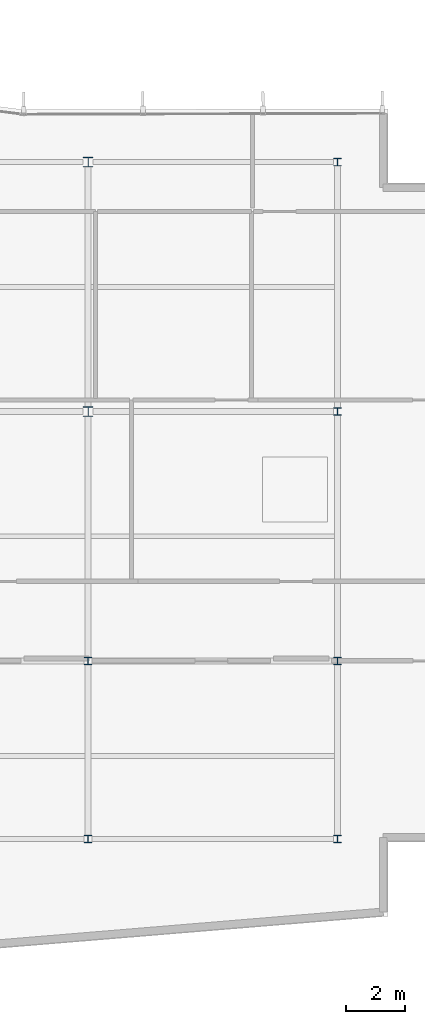
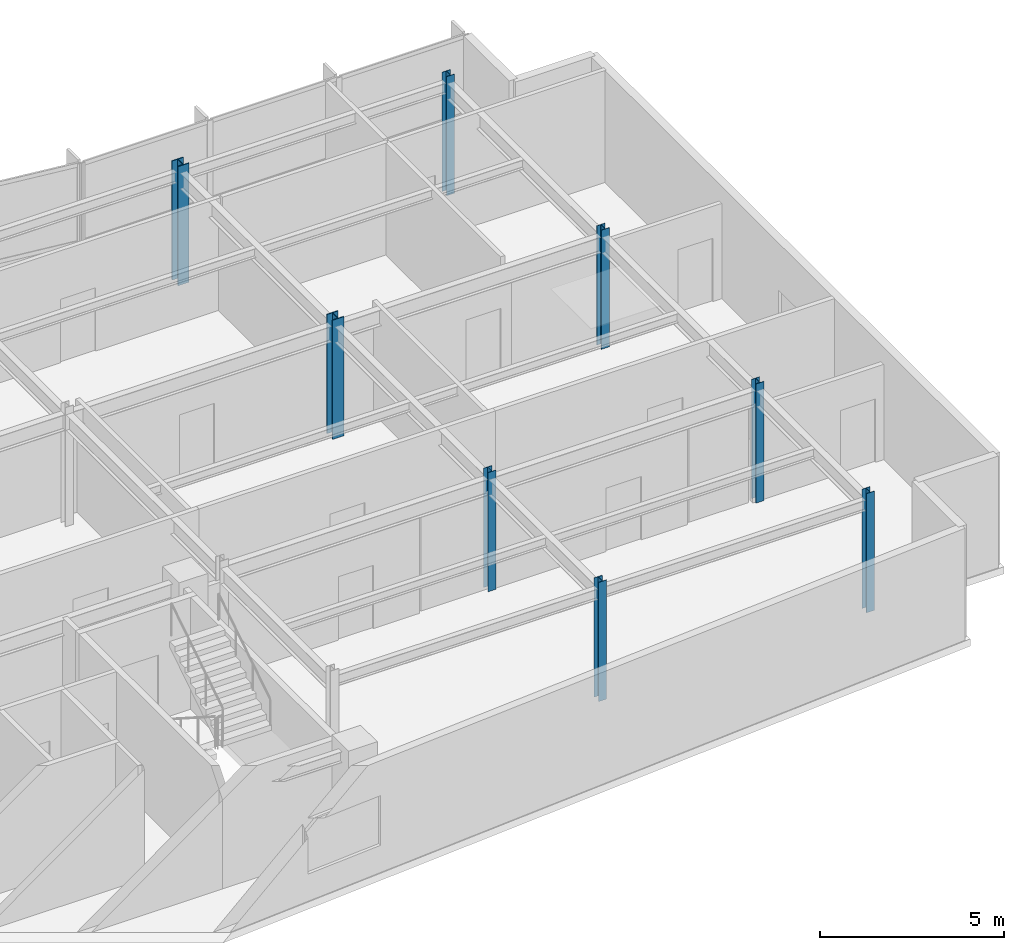
# One storey, part 3 of 15: 8 columns.
"""IFC4 building model written with IfcOpenShell, lengths in metres."""

from ifc_helpers import new_model, si_unit, direction, frame, origin, origin_2d, place, context, subcontext, project, spatial, i_section, extrude, material, material_profile, profile_set, type_object, element, save


model = new_model("IFC4")

# Units and contexts
model_context = context("Model", 3, precision=1e-05, world=origin(), true_north=direction((0.0, 1.0)))
body_context = subcontext(model_context, "Body", "Model", "MODEL_VIEW")
ifc_project = project(units=[si_unit("LENGTHUNIT", "METRE"), si_unit("AREAUNIT", "SQUARE_METRE"), si_unit("VOLUMEUNIT", "CUBIC_METRE"), si_unit("PLANEANGLEUNIT", "RADIAN"), si_unit("MASSUNIT", "GRAM", prefix="KILO")], contexts=[model_context])

# Site, building, storey
site_placement = place(None, origin())
site = spatial("IfcSite", under=ifc_project, at=site_placement, CompositionType="ELEMENT")
building_placement = place(site_placement, origin())
building = spatial("IfcBuilding", under=site, at=building_placement, Name="Varnakote Quay Hospital", CompositionType="ELEMENT")
storey_placement = place(building_placement, frame((0.0, 0.0, 248.64990234375)))
storey = spatial("IfcBuildingStorey", under=building, at=storey_placement, Name="L61", CompositionType="ELEMENT", Elevation=248.64990234375)

# Columns
ifc_material_1 = material(Name="Structural steel AS/NZS 3679.1 Grade 350 L0 (fy 340 MPa)", Category="steel")
ifc_material_profile_1 = material_profile(ifc_material_1, i_section(OverallWidth=0.25390625, OverallDepth=0.25390625, WebThickness=0.008544921875, FlangeThickness=0.01416015625, FilletRadius=0.0126953125, at=origin_2d()), Name="250UC72.9")
ifc_profile_set_1 = profile_set([ifc_material_profile_1], Name="Structural steel AS/NZS 3679.1 Grade 350 L0 (fy 340 MPa)")
column_type_1 = type_object("IfcColumnType", Name="COL-STL-250UC72-9", PredefinedType="COLUMN", material=ifc_profile_set_1)
for number, where, z_axis, x_axis, name in (
    (1, (33.60009765625, 6.0, 0.0), (0.0, 0.0, 1.0), (1.0, 0.0, 0.0), "L61 Structural Column C-34-6"),
    (2, (42.0, 6.0, 0.0), (0.0, 0.0, 1.0), (1.0, 0.0, 0.0), "L61 Structural Column C-42-6"),
    (3, (33.60009765625, 12.0, 0.0), (0.0, 0.0, 1.0), (1.0, 0.0, 0.0), "L61 Structural Column C-34-12"),
    (4, (42.0, 12.0, 0.0), (0.0, 0.0, 1.0), (1.0, 0.0, 0.0), "L61 Structural Column C-42-12"),
    (5, (42.0, 20.39990234375, 0.0), (0.0, 0.0, 1.0), (1.0, 0.0, 0.0), "L61 Structural Column C-42-20"),
    (6, (42.0, 28.800048828125, 0.0), (0.0, 0.0, 1.0), (1.0, 0.0, 0.0), "L61 Structural Column C-42-29"),
):
    element("IfcColumn", number, at=place(storey_placement, frame(where, z_axis=z_axis, x_axis=x_axis)), inside=storey, type_object=column_type_1, Name=name, PredefinedType="COLUMN", context=body_context, shape_type="SweptSolid", body=[
        extrude(i_section(OverallWidth=0.25390625, OverallDepth=0.25390625, WebThickness=0.008544921875, FlangeThickness=0.01416015625, FilletRadius=0.0126953125, at=origin_2d()), origin(), (0.0, 0.0, 1.0), 3.9501953125),
    ])
ifc_material_2 = material(Name="Structural steel AS/NZS 3678 Grade 350 (fy 340 MPa)", Category="steel")
ifc_material_profile_2 = material_profile(ifc_material_2, i_section(OverallWidth=0.35009765625, OverallDepth=0.340087890625, WebThickness=0.01611328125, FlangeThickness=0.028076171875, at=origin_2d()), Name="350WC197")
ifc_profile_set_2 = profile_set([ifc_material_profile_2], Name="Structural steel AS/NZS 3678 Grade 350 (fy 340 MPa)")
column_type_2 = type_object("IfcColumnType", Name="COL-STL-350WC197", PredefinedType="COLUMN", material=ifc_profile_set_2)
for number, where, z_axis, x_axis, name in (
    (7, (33.60009765625, 20.39990234375, 0.0), (0.0, 0.0, 1.0), (1.0, 0.0, 0.0), "L61 Structural Column C-34-20"),
    (8, (33.60009765625, 28.800048828125, 0.0), (0.0, 0.0, 1.0), (1.0, 0.0, 0.0), "L61 Structural Column C-34-29"),
):
    element("IfcColumn", number, at=place(storey_placement, frame(where, z_axis=z_axis, x_axis=x_axis)), inside=storey, type_object=column_type_2, Name=name, PredefinedType="COLUMN", context=body_context, shape_type="SweptSolid", body=[
        extrude(i_section(OverallWidth=0.35009765625, OverallDepth=0.340087890625, WebThickness=0.01611328125, FlangeThickness=0.028076171875, at=origin_2d()), origin(), (0.0, 0.0, 1.0), 3.9501953125),
    ])

save(model, "model.ifc")
